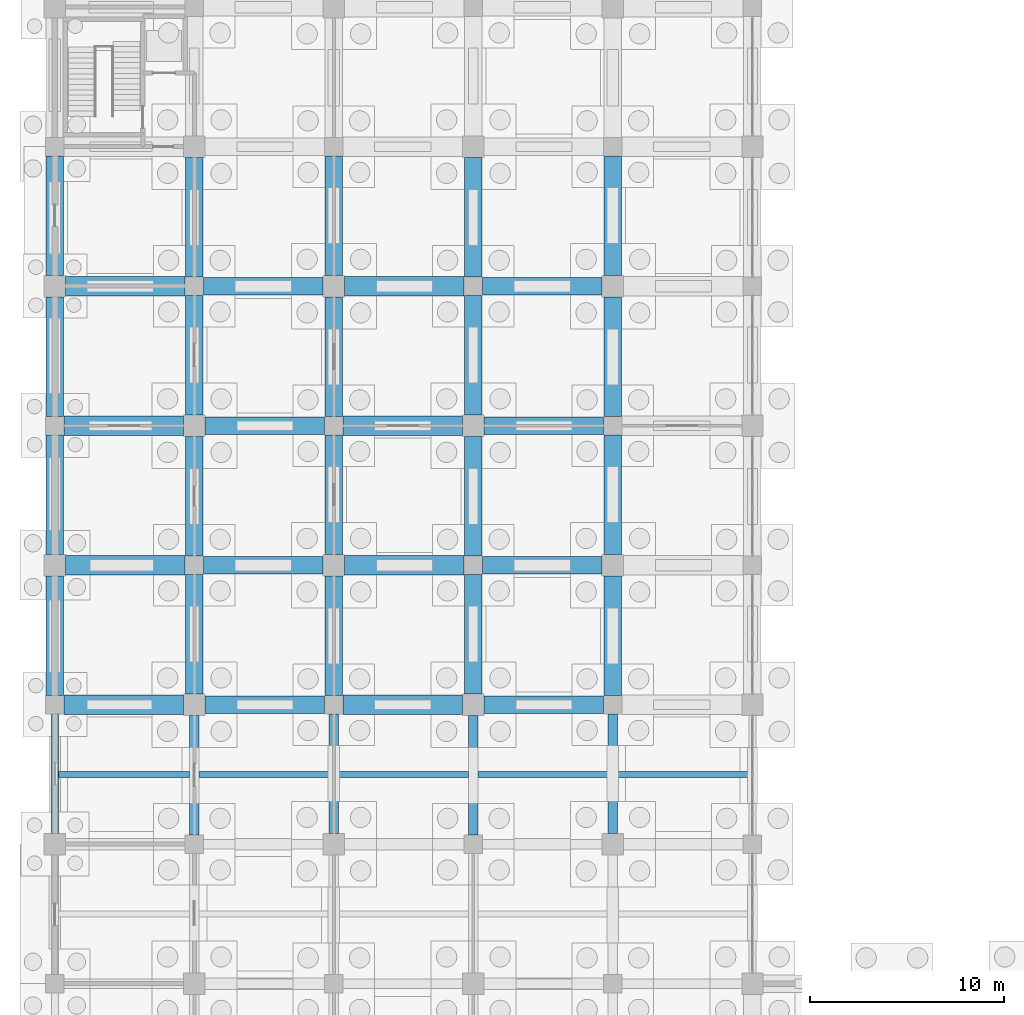
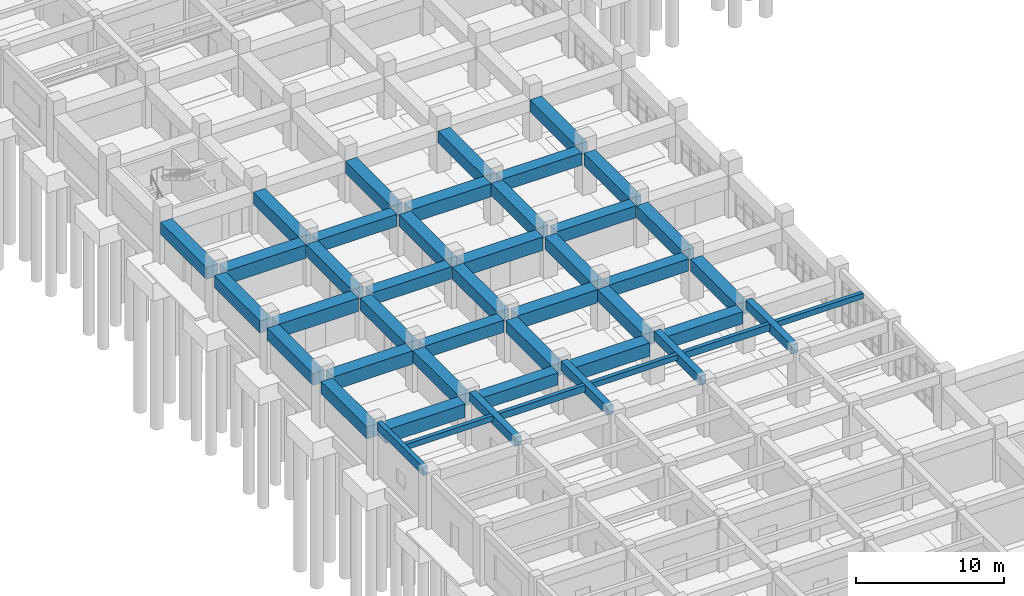
# One storey, part 19 of 79: 46 beams.
"""IFC4 building model written with IfcOpenShell, lengths in metres."""

from ifc_helpers import new_model, si_unit, direction, frame, origin, origin_2d, place, context, subcontext, project, spatial, rectangle, extrude, material, material_profile, profile_set, type_object, element, save


model = new_model("IFC4")

# Units and contexts
model_context = context("Model", 3, precision=1e-05, world=origin(), true_north=direction((0.0, 1.0)))
body_context = subcontext(model_context, "Body", "Model", "MODEL_VIEW")
ifc_project = project(units=[si_unit("LENGTHUNIT", "METRE"), si_unit("AREAUNIT", "SQUARE_METRE"), si_unit("VOLUMEUNIT", "CUBIC_METRE"), si_unit("PLANEANGLEUNIT", "RADIAN"), si_unit("MASSUNIT", "GRAM", prefix="KILO")], contexts=[model_context])

# Site, building, storey
site_placement = place(None, origin())
site = spatial("IfcSite", under=ifc_project, at=site_placement, CompositionType="ELEMENT")
building_placement = place(site_placement, origin())
building = spatial("IfcBuilding", under=site, at=building_placement, Name="Kavelor Marine Aquarium", CompositionType="ELEMENT")
storey_placement = place(building_placement, origin())
storey = spatial("IfcBuildingStorey", under=building, at=storey_placement, Name="L00", CompositionType="ELEMENT", Elevation=0.0)

# Beams
ifc_material_1 = material(Name="Concrete C40/50", Category="concrete")
ifc_material_profile_1 = material_profile(ifc_material_1, rectangle(XDim=0.5, YDim=0.75, at=origin_2d()), Name="RC-BM 500x750")
ifc_profile_set_1 = profile_set([ifc_material_profile_1], Name="Concrete C40/50")
beam_type_1 = type_object("IfcBeamType", Name="BM-B2", PredefinedType="BEAM", material=ifc_profile_set_1)
for number, where, z_axis, x_axis, name in (
    (1, (10.39990234375, 32.074951171875, 4.0048828125), (0.0, 1.0, 0.0), (-1.0, 0.0, 0.0), "bm:y:L00:L01:01_04"),
    (2, (17.60009765625, 32.14990234375, 4.0048828125), (0.0, 1.0, 0.0), (-1.0, 0.0, 0.0), "bm:y:L00:L01:02_04"),
    (3, (24.800048828125, 32.074951171875, 4.0048828125), (0.0, 1.0, 0.0), (-1.0, 0.0, 0.0), "bm:y:L00:L01:03_04"),
    (4, (32.0, 32.14990234375, 4.0048828125), (0.0, 1.0, 0.0), (-1.0, 0.0, 0.0), "bm:y:L00:L01:04_04"),
):
    element("IfcBeam", number, at=place(storey_placement, frame(where, z_axis=z_axis, x_axis=x_axis)), inside=storey, type_object=beam_type_1, Name=name, PredefinedType="BEAM", context=body_context, shape_type="SweptSolid", body=[
        extrude(rectangle(XDim=0.5, YDim=0.75, at=origin_2d()), origin(), (0.0, 0.0, 1.0), 6.175048828125),
    ])
ifc_material_2 = material(Name="Concrete C40/50", Category="concrete")
ifc_material_profile_2 = material_profile(ifc_material_2, rectangle(XDim=0.300048828125, YDim=0.449951171875, at=origin_2d()), Name="RC-JS 300x450")
ifc_profile_set_2 = profile_set([ifc_material_profile_2], Name="Concrete C40/50")
beam_type_2 = type_object("IfcBeamType", Name="BM-JS1", PredefinedType="JOIST", material=ifc_profile_set_2)
beam_1_placement = place(storey_placement, frame((3.375, 35.199951171875, 4.155029296875), z_axis=(1.0, 0.0, 0.0), x_axis=(0.0, 1.0, 0.0)))
element("IfcBeam", 5, at=beam_1_placement, inside=storey, type_object=beam_type_2, Name="js:L00:L01:00_04", PredefinedType="JOIST", context=body_context, shape_type="SweptSolid", body=[
    extrude(rectangle(XDim=0.300048828125, YDim=0.449951171875, at=origin_2d()), origin(), (0.0, 0.0, 1.0), 6.77490234375),
])
beam_2_placement = place(storey_placement, frame((17.85009765625, 35.199951171875, 4.155029296875), z_axis=(1.0, 0.0, 0.0), x_axis=(0.0, 1.0, 0.0)))
element("IfcBeam", 6, at=beam_2_placement, inside=storey, type_object=beam_type_2, Name="js:L00:L01:02_04", PredefinedType="JOIST", context=body_context, shape_type="SweptSolid", body=[
    extrude(rectangle(XDim=0.300048828125, YDim=0.449951171875, at=origin_2d()), origin(), (0.0, 0.0, 1.0), 6.699951171875),
])
beam_3_placement = place(storey_placement, frame((32.25, 35.199951171875, 4.155029296875), z_axis=(1.0, 0.0, 0.0), x_axis=(0.0, 1.0, 0.0)))
element("IfcBeam", 7, at=beam_3_placement, inside=storey, type_object=beam_type_2, Name="js:L00:L01:04_04", PredefinedType="JOIST", context=body_context, shape_type="SweptSolid", body=[
    extrude(rectangle(XDim=0.300048828125, YDim=0.449951171875, at=origin_2d()), origin(), (0.0, 0.0, 1.0), 6.77490234375),
])
ifc_material_3 = material(Name="Concrete C40/50", Category="concrete")
ifc_material_profile_3 = material_profile(ifc_material_3, rectangle(XDim=0.300048828125, YDim=0.550048828125, at=origin_2d()), Name="RC-JS 300x550")
ifc_profile_set_3 = profile_set([ifc_material_profile_3], Name="Concrete C40/50")
beam_type_3 = type_object("IfcBeamType", Name="BM-JS2", PredefinedType="JOIST", material=ifc_profile_set_3)
beam_4_placement = place(storey_placement, frame((10.64990234375, 35.199951171875, 4.10498046875), z_axis=(1.0, 0.0, 0.0), x_axis=(0.0, 1.0, 0.0)))
element("IfcBeam", 8, at=beam_4_placement, inside=storey, type_object=beam_type_3, Name="js:L00:L01:01_04", PredefinedType="JOIST", context=body_context, shape_type="SweptSolid", body=[
    extrude(rectangle(XDim=0.300048828125, YDim=0.550048828125, at=origin_2d()), origin(), (0.0, 0.0, 1.0), 6.7001953125),
])
beam_5_placement = place(storey_placement, frame((25.050048828125, 35.199951171875, 4.10498046875), z_axis=(1.0, 0.0, 0.0), x_axis=(0.0, 1.0, 0.0)))
element("IfcBeam", 9, at=beam_5_placement, inside=storey, type_object=beam_type_3, Name="js:L00:L01:03_04", PredefinedType="JOIST", context=body_context, shape_type="SweptSolid", body=[
    extrude(rectangle(XDim=0.300048828125, YDim=0.550048828125, at=origin_2d()), origin(), (0.0, 0.0, 1.0), 6.699951171875),
])
ifc_material_4 = material(Name="Concrete C40/50", Category="concrete")
ifc_material_profile_4 = material_profile(ifc_material_4, rectangle(XDim=0.35009765625, YDim=0.699951171875, at=origin_2d()), Name="RC-SP 350x700")
ifc_profile_set_4 = profile_set([ifc_material_profile_4], Name="Concrete C40/50")
beam_type_4 = type_object("IfcBeamType", Name="BM-SP1", PredefinedType="SPANDREL", material=ifc_profile_set_4)
beam_6_placement = place(storey_placement, frame((3.199951171875, 32.14990234375, 4.030029296875), z_axis=(0.0, 1.0, 0.0), x_axis=(-1.0, 0.0, 0.0)))
element("IfcBeam", 10, at=beam_6_placement, inside=storey, type_object=beam_type_4, Name="bm:y:L00:L01:00_04", PredefinedType="SPANDREL", context=body_context, shape_type="SweptSolid", body=[
    extrude(rectangle(XDim=0.35009765625, YDim=0.699951171875, at=origin_2d()), origin(), (0.0, 0.0, 1.0), 6.175048828125),
])
ifc_material_5 = material(Name="Concrete C45/55", Category="concrete")
ifc_material_profile_5 = material_profile(ifc_material_5, rectangle(XDim=1.0, YDim=1.10009765625, at=origin_2d()), Name="RC-TG 1000x1100")
ifc_profile_set_5 = profile_set([ifc_material_profile_5], Name="Concrete C45/55")
beam_type_5 = type_object("IfcBeamType", Name="BM-TG1", PredefinedType="BEAM", material=ifc_profile_set_5)
for number, where, z_axis, x_axis, name in (
    (11, (3.675048828125, 38.800048828125, 2.929931640625), (1.0, 0.0, 0.0), (0.0, 1.0, 0.0), "bm:x:L00:L01:00_05"),
    (12, (3.75, 46.0, 2.929931640625), (1.0, 0.0, 0.0), (0.0, 1.0, 0.0), "bm:x:L00:L01:00_06"),
    (13, (3.675048828125, 53.199951171875, 2.929931640625), (1.0, 0.0, 0.0), (0.0, 1.0, 0.0), "bm:x:L00:L01:00_07"),
    (14, (3.75, 60.39990234375, 2.929931640625), (1.0, 0.0, 0.0), (0.0, 1.0, 0.0), "bm:x:L00:L01:00_08"),
    (15, (18.074951171875, 38.800048828125, 2.929931640625), (1.0, 0.0, 0.0), (0.0, 1.0, 0.0), "bm:x:L00:L01:02_05"),
    (16, (18.14990234375, 46.0, 2.929931640625), (1.0, 0.0, 0.0), (0.0, 1.0, 0.0), "bm:x:L00:L01:02_06"),
    (17, (18.074951171875, 53.199951171875, 2.929931640625), (1.0, 0.0, 0.0), (0.0, 1.0, 0.0), "bm:x:L00:L01:02_07"),
    (18, (18.14990234375, 60.39990234375, 2.929931640625), (1.0, 0.0, 0.0), (0.0, 1.0, 0.0), "bm:x:L00:L01:02_08"),
):
    element("IfcBeam", number, at=place(storey_placement, frame(where, z_axis=z_axis, x_axis=x_axis)), inside=storey, type_object=beam_type_5, Name=name, PredefinedType="BEAM", context=body_context, shape_type="SweptSolid", body=[
        extrude(rectangle(XDim=1.0, YDim=1.10009765625, at=origin_2d()), origin(), (0.0, 0.0, 1.0), 6.175048828125),
    ])
ifc_material_6 = material(Name="Concrete C45/55", Category="concrete")
ifc_material_profile_6 = material_profile(ifc_material_6, rectangle(XDim=0.89990234375, YDim=1.0, at=origin_2d()), Name="RC-TG 900x1000")
ifc_profile_set_6 = profile_set([ifc_material_profile_6], Name="Concrete C45/55")
beam_type_6 = type_object("IfcBeamType", Name="BM-TG2", PredefinedType="BEAM", material=ifc_profile_set_6)
for number, where, z_axis, x_axis, name in (
    (19, (10.949951171875, 38.800048828125, 2.97998046875), (1.0, 0.0, 0.0), (0.0, 1.0, 0.0), "bm:x:L00:L01:01_05"),
    (20, (10.875, 46.0, 2.97998046875), (1.0, 0.0, 0.0), (0.0, 1.0, 0.0), "bm:x:L00:L01:01_06"),
    (21, (10.949951171875, 53.199951171875, 2.97998046875), (1.0, 0.0, 0.0), (0.0, 1.0, 0.0), "bm:x:L00:L01:01_07"),
    (22, (10.875, 60.39990234375, 2.97998046875), (1.0, 0.0, 0.0), (0.0, 1.0, 0.0), "bm:x:L00:L01:01_08"),
):
    element("IfcBeam", number, at=place(storey_placement, frame(where, z_axis=z_axis, x_axis=x_axis)), inside=storey, type_object=beam_type_6, Name=name, PredefinedType="BEAM", context=body_context, shape_type="SweptSolid", body=[
        extrude(rectangle(XDim=0.89990234375, YDim=1.0, at=origin_2d()), origin(), (0.0, 0.0, 1.0), 6.175048828125),
    ])
beam_7_placement = place(storey_placement, frame((25.35009765625, 38.800048828125, 2.97998046875), z_axis=(1.0, 0.0, 0.0), x_axis=(0.0, 1.0, 0.0)))
element("IfcBeam", 23, at=beam_7_placement, inside=storey, type_object=beam_type_6, Name="bm:x:L00:L01:03_05", PredefinedType="BEAM", context=body_context, shape_type="SweptSolid", body=[
    extrude(rectangle(XDim=0.89990234375, YDim=1.0, at=origin_2d()), origin(), (0.0, 0.0, 1.0), 6.1748046875),
])
beam_8_placement = place(storey_placement, frame((25.27490234375, 46.0, 2.97998046875), z_axis=(1.0, 0.0, 0.0), x_axis=(0.0, 1.0, 0.0)))
element("IfcBeam", 24, at=beam_8_placement, inside=storey, type_object=beam_type_6, Name="bm:x:L00:L01:03_06", PredefinedType="BEAM", context=body_context, shape_type="SweptSolid", body=[
    extrude(rectangle(XDim=0.89990234375, YDim=1.0, at=origin_2d()), origin(), (0.0, 0.0, 1.0), 6.175048828125),
])
beam_9_placement = place(storey_placement, frame((25.35009765625, 53.199951171875, 2.97998046875), z_axis=(1.0, 0.0, 0.0), x_axis=(0.0, 1.0, 0.0)))
element("IfcBeam", 25, at=beam_9_placement, inside=storey, type_object=beam_type_6, Name="bm:x:L00:L01:03_07", PredefinedType="BEAM", context=body_context, shape_type="SweptSolid", body=[
    extrude(rectangle(XDim=0.89990234375, YDim=1.0, at=origin_2d()), origin(), (0.0, 0.0, 1.0), 6.1748046875),
])
for number, where, z_axis, x_axis, name in (
    (26, (25.27490234375, 60.39990234375, 2.97998046875), (1.0, 0.0, 0.0), (0.0, 1.0, 0.0), "bm:x:L00:L01:03_08"),
    (27, (3.199951171875, 39.27490234375, 2.97998046875), (0.0, 1.0, 0.0), (-1.0, 0.0, 0.0), "bm:y:L00:L01:00_05"),
    (28, (3.199951171875, 46.550048828125, 2.97998046875), (0.0, 1.0, 0.0), (-1.0, 0.0, 0.0), "bm:y:L00:L01:00_06"),
    (29, (3.199951171875, 53.675048828125, 2.97998046875), (0.0, 1.0, 0.0), (-1.0, 0.0, 0.0), "bm:y:L00:L01:00_07"),
    (30, (3.199951171875, 60.949951171875, 2.97998046875), (0.0, 1.0, 0.0), (-1.0, 0.0, 0.0), "bm:y:L00:L01:00_08"),
):
    element("IfcBeam", number, at=place(storey_placement, frame(where, z_axis=z_axis, x_axis=x_axis)), inside=storey, type_object=beam_type_6, Name=name, PredefinedType="BEAM", context=body_context, shape_type="SweptSolid", body=[
        extrude(rectangle(XDim=0.89990234375, YDim=1.0, at=origin_2d()), origin(), (0.0, 0.0, 1.0), 6.175048828125),
    ])
for number, where, z_axis, x_axis, name in (
    (31, (10.39990234375, 39.35009765625, 2.97998046875), (0.0, 1.0, 0.0), (-1.0, 0.0, 0.0), "bm:y:L00:L01:01_05"),
    (32, (10.39990234375, 46.47509765625, 2.97998046875), (0.0, 1.0, 0.0), (-1.0, 0.0, 0.0), "bm:y:L00:L01:01_06"),
):
    element("IfcBeam", number, at=place(storey_placement, frame(where, z_axis=z_axis, x_axis=x_axis)), inside=storey, type_object=beam_type_6, Name=name, PredefinedType="BEAM", context=body_context, shape_type="SweptSolid", body=[
        extrude(rectangle(XDim=0.89990234375, YDim=1.0, at=origin_2d()), origin(), (0.0, 0.0, 1.0), 6.1748046875),
    ])
for number, where, z_axis, x_axis, name in (
    (33, (10.39990234375, 53.75, 2.97998046875), (0.0, 1.0, 0.0), (-1.0, 0.0, 0.0), "bm:y:L00:L01:01_07"),
    (34, (10.39990234375, 60.875, 2.97998046875), (0.0, 1.0, 0.0), (-1.0, 0.0, 0.0), "bm:y:L00:L01:01_08"),
    (35, (17.60009765625, 39.27490234375, 2.97998046875), (0.0, 1.0, 0.0), (-1.0, 0.0, 0.0), "bm:y:L00:L01:02_05"),
    (36, (17.60009765625, 46.550048828125, 2.97998046875), (0.0, 1.0, 0.0), (-1.0, 0.0, 0.0), "bm:y:L00:L01:02_06"),
    (37, (17.60009765625, 53.675048828125, 2.97998046875), (0.0, 1.0, 0.0), (-1.0, 0.0, 0.0), "bm:y:L00:L01:02_07"),
    (38, (17.60009765625, 60.949951171875, 2.97998046875), (0.0, 1.0, 0.0), (-1.0, 0.0, 0.0), "bm:y:L00:L01:02_08"),
):
    element("IfcBeam", number, at=place(storey_placement, frame(where, z_axis=z_axis, x_axis=x_axis)), inside=storey, type_object=beam_type_6, Name=name, PredefinedType="BEAM", context=body_context, shape_type="SweptSolid", body=[
        extrude(rectangle(XDim=0.89990234375, YDim=1.0, at=origin_2d()), origin(), (0.0, 0.0, 1.0), 6.175048828125),
    ])
for number, where, z_axis, x_axis, name in (
    (39, (24.800048828125, 39.35009765625, 2.97998046875), (0.0, 1.0, 0.0), (-1.0, 0.0, 0.0), "bm:y:L00:L01:03_05"),
    (40, (24.800048828125, 46.47509765625, 2.97998046875), (0.0, 1.0, 0.0), (-1.0, 0.0, 0.0), "bm:y:L00:L01:03_06"),
):
    element("IfcBeam", number, at=place(storey_placement, frame(where, z_axis=z_axis, x_axis=x_axis)), inside=storey, type_object=beam_type_6, Name=name, PredefinedType="BEAM", context=body_context, shape_type="SweptSolid", body=[
        extrude(rectangle(XDim=0.89990234375, YDim=1.0, at=origin_2d()), origin(), (0.0, 0.0, 1.0), 6.1748046875),
    ])
for number, where, z_axis, x_axis, name in (
    (41, (24.800048828125, 53.75, 2.97998046875), (0.0, 1.0, 0.0), (-1.0, 0.0, 0.0), "bm:y:L00:L01:03_07"),
    (42, (24.800048828125, 60.875, 2.97998046875), (0.0, 1.0, 0.0), (-1.0, 0.0, 0.0), "bm:y:L00:L01:03_08"),
    (43, (32.0, 39.27490234375, 2.97998046875), (0.0, 1.0, 0.0), (-1.0, 0.0, 0.0), "bm:y:L00:L01:04_05"),
    (44, (32.0, 46.550048828125, 2.97998046875), (0.0, 1.0, 0.0), (-1.0, 0.0, 0.0), "bm:y:L00:L01:04_06"),
    (45, (32.0, 53.675048828125, 2.97998046875), (0.0, 1.0, 0.0), (-1.0, 0.0, 0.0), "bm:y:L00:L01:04_07"),
    (46, (32.0, 60.949951171875, 2.97998046875), (0.0, 1.0, 0.0), (-1.0, 0.0, 0.0), "bm:y:L00:L01:04_08"),
):
    element("IfcBeam", number, at=place(storey_placement, frame(where, z_axis=z_axis, x_axis=x_axis)), inside=storey, type_object=beam_type_6, Name=name, PredefinedType="BEAM", context=body_context, shape_type="SweptSolid", body=[
        extrude(rectangle(XDim=0.89990234375, YDim=1.0, at=origin_2d()), origin(), (0.0, 0.0, 1.0), 6.175048828125),
    ])

save(model, "model.ifc")
